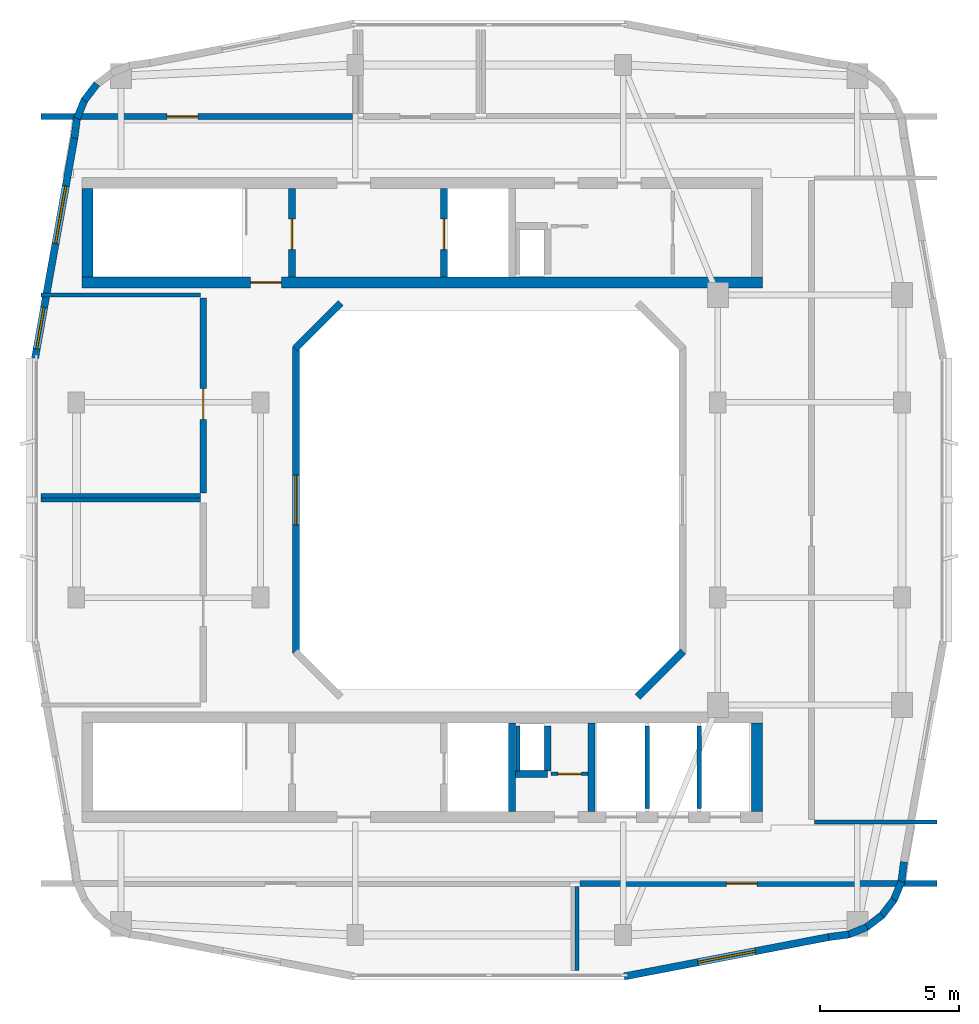
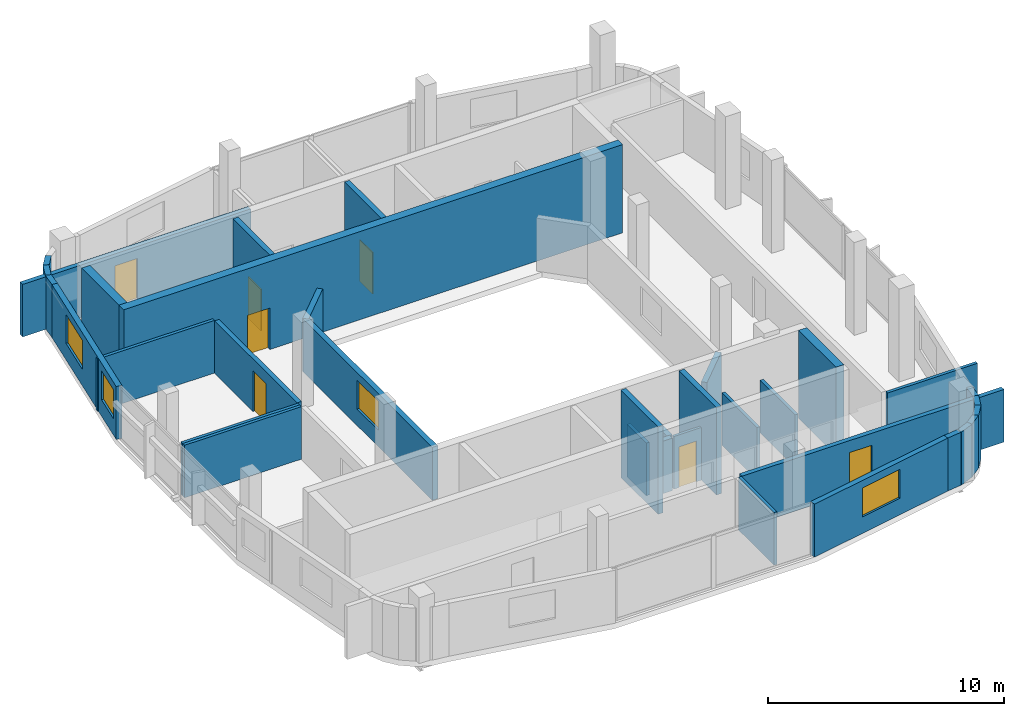
# One storey, part 4 of 6: 35 walls, 7 doors, 4 windows, 11 openings.
"""IFC4 building model written with IfcOpenShell, lengths in metres."""

import ifcopenshell
import ifcopenshell.guid

model = None  # the IFC model being written
_history = None  # IfcOwnerHistory: only IFC2X3 demands one
_inside = {}  # id of a spatial element -> (the spatial element, [elements in it])
_under = {}  # id of a project, library or spatial element -> (it, [spatial elements below it])
_declared = {}  # id of a project -> (the project, [libraries it declares])
_typed = {}  # id of a type object -> (the type object, [elements of that type])
_made_of = {}  # id of a material, layer set ... -> (it, [elements and type objects made of it])


def new_model(schema):
    """Start an empty IFC model of exactly this schema.

    Asked for "IFC4X3", IfcOpenShell would pick the latest addendum, in which some entities
    have other attributes; the version numbers below select the first issue.
    IFC2X3 requires an IfcOwnerHistory on every rooted entity: one is made here for all.
    """
    global model, _history
    if schema == "IFC4X3":
        model = ifcopenshell.file(schema_version=(4, 3, 0, 0))
    else:
        model = ifcopenshell.file(schema=schema)
    _inside.clear()
    _under.clear()
    _declared.clear()
    _typed.clear()
    _made_of.clear()
    _history = None
    if model.schema == "IFC2X3":
        org = make("IfcOrganization", Name="unknown")
        user = make(
            "IfcPersonAndOrganization",
            ThePerson=make("IfcPerson", FamilyName="unknown"),
            TheOrganization=org,
        )
        app = make(
            "IfcApplication",
            ApplicationDeveloper=org,
            Version="unknown",
            ApplicationFullName="unknown",
            ApplicationIdentifier="unknown",
        )
        _history = make(
            "IfcOwnerHistory",
            OwningUser=user,
            OwningApplication=app,
            ChangeAction="ADDED",
            CreationDate=0,
        )
    return model


def make(cls, **values):
    """One entity of the class cls with the attributes given. An attribute that is None is left unset."""
    return model.create_entity(
        cls, **{name: value for name, value in values.items() if value is not None}
    )


def rooted(cls, **values):
    """An entity with a GlobalId (a new one), such as an element, a storey or a relation."""
    return make(cls, GlobalId=ifcopenshell.guid.new(), OwnerHistory=_history, **values)


def si_unit(unit_type, name, prefix=None):
    """IfcSIUnit, for example si_unit("LENGTHUNIT", "METRE", prefix="MILLI")."""
    return make("IfcSIUnit", UnitType=unit_type, Prefix=prefix, Name=name)


def derived_unit(unit_type, elements):
    """IfcDerivedUnit: a product of units, each with its exponent."""
    return make(
        "IfcDerivedUnit",
        Elements=[
            make("IfcDerivedUnitElement", Unit=unit, Exponent=power)
            for unit, power in elements
        ],
        UnitType=unit_type,
    )


def assignment(units):
    """IfcUnitAssignment: the units of a project."""
    return None if units is None else make("IfcUnitAssignment", Units=units)


def point(xyz):
    """IfcCartesianPoint."""
    return None if xyz is None else make("IfcCartesianPoint", Coordinates=xyz)


def direction(xyz):
    """IfcDirection."""
    return None if xyz is None else make("IfcDirection", DirectionRatios=xyz)


def frame(location, z_axis=None, x_axis=None):
    """IfcAxis2Placement3D, a coordinate frame: its origin and axes. An axis left out is left unset."""
    return make(
        "IfcAxis2Placement3D",
        Location=point(location),
        Axis=direction(z_axis),
        RefDirection=direction(x_axis),
    )


def frame_2d(location, x_axis=None):
    """IfcAxis2Placement2D, a coordinate frame in the plane: its origin and x axis."""
    return make(
        "IfcAxis2Placement2D", Location=point(location), RefDirection=direction(x_axis)
    )


def origin():
    """The frame at (0, 0, 0) with its axes left unset."""
    return frame((0.0, 0.0, 0.0))


def place(relative_to, where):
    """IfcLocalPlacement: puts the frame where relative to a parent placement (None: the world)."""
    return make(
        "IfcLocalPlacement", PlacementRelTo=relative_to, RelativePlacement=where
    )


def context(
    kind, dimensions, precision=None, world=None, true_north=None, identifier=None
):
    """IfcGeometricRepresentationContext, for example the 3D "Model" context."""
    return make(
        "IfcGeometricRepresentationContext",
        ContextIdentifier=identifier,
        ContextType=kind,
        CoordinateSpaceDimension=dimensions,
        Precision=precision,
        WorldCoordinateSystem=world,
        TrueNorth=true_north,
    )


def subcontext(parent, identifier, kind, view, scale=None):
    """IfcGeometricRepresentationSubContext, for example "Body" below "Model"."""
    return make(
        "IfcGeometricRepresentationSubContext",
        ContextIdentifier=identifier,
        ContextType=kind,
        ParentContext=parent,
        TargetScale=scale,
        TargetView=view,
    )


def project(units=None, contexts=None):
    """IfcProject with its units and contexts."""
    return rooted(
        "IfcProject",
        Name="project",
        RepresentationContexts=contexts,
        UnitsInContext=assignment(units),
    )


def spatial(cls, under=None, at=None, **own):
    """A site, building, storey or space (cls), placed at a placement, below another one or the project."""
    s = rooted(cls, ObjectPlacement=at, **own)
    if under is not None:
        _under.setdefault(under.id(), (under, []))[1].append(s)
    return s


def profile(cls, at=None, kind="AREA", **sizes):
    """A parametric profile (cls). Its sizes go by their IFC names, for example OverallWidth=200.0."""
    return make(cls, ProfileType=kind, Position=at, **sizes)


def rectangle(**sizes):
    """IfcRectangleProfileDef."""
    return profile("IfcRectangleProfileDef", **sizes)


def extrude(swept, where, along, depth):
    """IfcExtrudedAreaSolid: the profile swept, set in the frame where, extruded along a direction by depth."""
    return make(
        "IfcExtrudedAreaSolid",
        SweptArea=swept,
        Position=where,
        ExtrudedDirection=direction(along),
        Depth=depth,
    )


def shape(context_of_items, identifier, shape_type, items):
    """IfcShapeRepresentation: the items that make up one representation, for example the "Body"."""
    return make(
        "IfcShapeRepresentation",
        ContextOfItems=context_of_items,
        RepresentationIdentifier=identifier,
        RepresentationType=shape_type,
        Items=items,
    )


def material(Name=None, Category=None):
    """IfcMaterial."""
    return make("IfcMaterial", Name=Name, Category=Category)


def layer(
    of_material, thickness, ventilated=None, Name=None, Category=None, Priority=None
):
    """IfcMaterialLayer: one layer of a wall or slab, of a material (None: an air gap)."""
    return make(
        "IfcMaterialLayer",
        Material=of_material,
        LayerThickness=thickness,
        IsVentilated=ventilated,
        Name=Name,
        Category=Category,
        Priority=Priority,
    )


def layer_set(layers, Name=None):
    """IfcMaterialLayerSet."""
    return make("IfcMaterialLayerSet", MaterialLayers=layers, LayerSetName=Name)


def made_of(thing, what):
    """Note that an element or type object is made of a material, layer set ...; save() writes the relation."""
    if what is not None:
        _made_of.setdefault(what.id(), (what, []))[1].append(thing)
    return thing


def type_object(cls, material=None, **own):
    """A type object (cls), such as IfcWallType, which elements share."""
    return made_of(rooted(cls, **own), material)


def element(
    cls,
    number,
    at=None,
    inside=None,
    cuts=None,
    type_object=None,
    material=None,
    context=None,
    identifier="Body",
    shape_type=None,
    held_by="IfcProductDefinitionShape",
    body=None,
    shapes=None,
    **own,
):
    """One element of the class cls, such as IfcWall. Its Tag is "e" and its number.

    at: its placement. inside: the storey or other place that contains it. cuts: it is an
    opening in that element (IfcRelVoidsElement). A single representation is given by context,
    identifier, shape_type and body (its items); several are given by shapes. held_by: the class
    of the entity that holds the representations. save() writes the other relations.
    """
    e = rooted(cls, Tag="e%d" % number, ObjectPlacement=at, **own)
    if body is not None:
        shapes = [shape(context, identifier, shape_type, body)]
    if shapes is not None:
        e.Representation = make(held_by, Representations=shapes)
    if inside is not None:
        _inside.setdefault(inside.id(), (inside, []))[1].append(e)
    if cuts is not None:
        rooted(
            "IfcRelVoidsElement", RelatingBuildingElement=cuts, RelatedOpeningElement=e
        )
    if type_object is not None:
        _typed.setdefault(type_object.id(), (type_object, []))[1].append(e)
    return made_of(e, material)


def fill(opening, filler):
    """IfcRelFillsElement: the door or window that sits in an opening."""
    return rooted(
        "IfcRelFillsElement",
        RelatingOpeningElement=opening,
        RelatedBuildingElement=filler,
    )


def aggregate(whole, parts):
    """IfcRelAggregates: a whole, such as a stair, and the parts it consists of."""
    return rooted("IfcRelAggregates", RelatingObject=whole, RelatedObjects=parts)


def save(model, path):
    """Write the relations noted so far, then the file.

    IfcRelAggregates (storeys below a building ...), IfcRelContainedInSpatialStructure (elements
    in a storey), IfcRelDefinesByType, IfcRelAssociatesMaterial and IfcRelDeclares: one each for
    every whole, place, type object, material and project.
    """
    for whole, parts in _under.values():
        aggregate(whole, parts)
    for where, things in _inside.values():
        rooted(
            "IfcRelContainedInSpatialStructure",
            RelatedElements=things,
            RelatingStructure=where,
        )
    for kind, things in _typed.values():
        rooted("IfcRelDefinesByType", RelatedObjects=things, RelatingType=kind)
    for what, things in _made_of.values():
        rooted("IfcRelAssociatesMaterial", RelatedObjects=things, RelatingMaterial=what)
    for by, libraries in _declared.values():
        rooted("IfcRelDeclares", RelatingContext=by, RelatedDefinitions=libraries)
    model.write(path)


model = new_model("IFC4")

# Units and contexts
model_context = context("Model", 3, precision=1e-05, world=origin(), true_north=direction((0.0, 1.0)))
body_context = subcontext(model_context, "Body", "Model", "MODEL_VIEW")
ifc_project = project(units=[si_unit("LENGTHUNIT", "METRE"), si_unit("AREAUNIT", "SQUARE_METRE"), si_unit("VOLUMEUNIT", "CUBIC_METRE"), si_unit("PLANEANGLEUNIT", "RADIAN"), si_unit("MASSUNIT", "GRAM", prefix="KILO"), derived_unit("THERMALTRANSMITTANCEUNIT", [(si_unit("POWERUNIT", "WATT"), 1), (si_unit("LENGTHUNIT", "METRE"), -2), (si_unit("THERMODYNAMICTEMPERATUREUNIT", "KELVIN"), -1)])], contexts=[model_context])

# Site, building, storey
site_placement = place(None, origin())
site = spatial("IfcSite", under=ifc_project, at=site_placement, CompositionType="ELEMENT")
building_placement = place(site_placement, origin())
building = spatial("IfcBuilding", under=site, at=building_placement, Name="Kivonza Crest Hotel", CompositionType="ELEMENT")
storey_placement = place(building_placement, frame((0.0, 0.0, 272.0)))
storey = spatial("IfcBuildingStorey", under=building, at=storey_placement, Name="L74", CompositionType="ELEMENT", Elevation=272.0)

# Wall, opening, door
ifc_material_1 = material(Name="Autoclaved aerated concrete blockwork", Category="masonry")
ifc_layer_1 = layer(ifc_material_1, 0.219970703125)
ifc_layer_set_1 = layer_set([ifc_layer_1], Name="Autoclaved aerated concrete blockwork")
wall_type_1 = type_object("IfcWallType", Name="WL-ACOU-220", PredefinedType="SOLIDWALL", material=ifc_layer_set_1)
wall_1_placement = place(storey_placement, frame((10.75, 25.25, 0.0), z_axis=(0.0, 0.0, 1.0), x_axis=(0.0, 1.0, 0.0)))
wall_1 = element("IfcWall", 1, at=wall_1_placement, inside=storey, type_object=wall_type_1, Name="L74 interior partition WA-L74-CRPLANT-E", PredefinedType="SOLIDWALL", context=body_context, shape_type="SweptSolid", body=[
    extrude(rectangle(XDim=7.0, YDim=0.219970703125, at=frame_2d((3.5, 0.0))), origin(), (0.0, 0.0, 1.0), 2.719970703125),
])
opening_1_placement = place(wall_1_placement, frame((2.64501953125, 0.0, 0.0)))
opening_1 = element("IfcOpeningElement", 2, at=opening_1_placement, cuts=wall_1, Name="Opening DF-60M", PredefinedType="OPENING", context=body_context, shape_type="SweptSolid", body=[
    extrude(rectangle(XDim=1.10009765625, YDim=2.10009765625, at=frame_2d((0.550048828125, 1.050048828125))), frame((0.0, 0.1201171875, 0.0), z_axis=(0.0, -1.0, 0.0), x_axis=(1.0, 0.0, 0.0)), (0.0, 0.0, 1.0), 0.239990234375),
])
ifc_material_2 = material(Name="Hardwood timber oak", Category="wood")
door_type_1 = type_object("IfcDoorType", Name="DR-FD60-1100", OperationType="NOTDEFINED", PredefinedType="DOOR", material=ifc_material_2)
door_1_placement = place(opening_1_placement, origin())
door_1 = element("IfcDoor", 3, at=door_1_placement, inside=storey, type_object=door_type_1, Name="L74 Crown Sommelier Wine Cellar door", OperationType="SINGLE_SWING_LEFT", OverallHeight=2.10009765625, OverallWidth=1.10009765625, PredefinedType="DOOR", context=body_context, shape_type="SweptSolid", body=[
    extrude(rectangle(XDim=1.10009765625, YDim=2.10009765625, at=frame_2d((0.550048828125, 1.050048828125))), frame((0.0, 0.02490234375, 0.0), z_axis=(0.0, -1.0, 0.0), x_axis=(1.0, 0.0, 0.0)), (0.0, 0.0, 1.0), 0.050048828125),
])
fill(opening_1, door_1)

wall_2_placement = place(storey_placement, frame((24.25, 11.25, 0.0), z_axis=(0.0, 0.0, 1.0), x_axis=(1.0, 0.0, 0.0)))
wall_2 = element("IfcWall", 4, at=wall_2_placement, inside=storey, type_object=wall_type_1, Name="L74 interior partition WA-L74-CRPAN4-N", PredefinedType="SOLIDWALL", context=body_context, shape_type="SweptSolid", body=[
    extrude(rectangle(XDim=12.81005859375, YDim=0.219970703125, at=frame_2d((6.405029296875, 0.0))), origin(), (0.0, 0.0, 1.0), 2.719970703125),
])
opening_2_placement = place(wall_2_placement, frame((5.259033203125, 0.0, 0.0)))
opening_2 = element("IfcOpeningElement", 5, at=opening_2_placement, cuts=wall_2, Name="Opening DF-60M", PredefinedType="OPENING", context=body_context, shape_type="SweptSolid", body=[
    extrude(rectangle(XDim=1.10009765625, YDim=2.10009765625, at=frame_2d((0.550048828125, 1.050048828125))), frame((0.0, 0.1201171875, 0.0), z_axis=(0.0, -1.0, 0.0), x_axis=(1.0, 0.0, 0.0)), (0.0, 0.0, 1.0), 0.239990234375),
])
door_2_placement = place(opening_2_placement, frame((1.10009765625, 0.0, 0.0), z_axis=(0.0, 0.0, 1.0), x_axis=(-1.0, 0.0, 0.0)))
door_2 = element("IfcDoor", 6, at=door_2_placement, inside=storey, type_object=door_type_1, Name="L74 Crest Catering Kitchen door", OperationType="SINGLE_SWING_LEFT", OverallHeight=2.10009765625, OverallWidth=1.10009765625, PredefinedType="DOOR", context=body_context, shape_type="SweptSolid", body=[
    extrude(rectangle(XDim=1.10009765625, YDim=2.10009765625, at=frame_2d((0.550048828125, 1.050048828125))), frame((0.0, 0.02490234375, 0.0), z_axis=(0.0, -1.0, 0.0), x_axis=(1.0, 0.0, 0.0)), (0.0, 0.0, 1.0), 0.050048828125),
])
fill(opening_2, door_2)

wall_3_placement = place(storey_placement, frame((4.93994140625, 38.75, 0.0), z_axis=(0.0, 0.0, 1.0), x_axis=(1.0, 0.0, 0.0)))
wall_3 = element("IfcWall", 7, at=wall_3_placement, inside=storey, type_object=wall_type_1, Name="L74 interior partition WA-L74-CRNSAL-S", PredefinedType="SOLIDWALL", context=body_context, shape_type="SweptSolid", body=[
    extrude(rectangle(XDim=11.16015625, YDim=0.219970703125, at=frame_2d((5.580078125, 0.0))), origin(), (0.0, 0.0, 1.0), 2.719970703125),
])
opening_3_placement = place(wall_3_placement, frame((4.51708984375, 0.0, 0.0)))
opening_3 = element("IfcOpeningElement", 8, at=opening_3_placement, cuts=wall_3, Name="Opening DF-60M", PredefinedType="OPENING", context=body_context, shape_type="SweptSolid", body=[
    extrude(rectangle(XDim=1.10009765625, YDim=2.10009765625, at=frame_2d((0.550048828125, 1.050048828125))), frame((0.0, 0.1201171875, 0.0), z_axis=(0.0, -1.0, 0.0), x_axis=(1.0, 0.0, 0.0)), (0.0, 0.0, 1.0), 0.239990234375),
])
door_3_placement = place(opening_3_placement, origin())
door_3 = element("IfcDoor", 9, at=door_3_placement, inside=storey, type_object=door_type_1, Name="L74 North Crest Diplomat Salon door", OperationType="SINGLE_SWING_RIGHT", OverallHeight=2.10009765625, OverallWidth=1.10009765625, PredefinedType="DOOR", context=body_context, shape_type="SweptSolid", body=[
    extrude(rectangle(XDim=1.10009765625, YDim=2.10009765625, at=frame_2d((0.550048828125, 1.050048828125))), frame((0.0, 0.02490234375, 0.0), z_axis=(0.0, -1.0, 0.0), x_axis=(1.0, 0.0, 0.0)), (0.0, 0.0, 1.0), 0.050048828125),
])
fill(opening_3, door_3)

ifc_material_3 = material(Name="Concrete C50/60", Category="concrete")
ifc_layer_2 = layer(ifc_material_3, 0.39990234375)
ifc_layer_set_2 = layer_set([ifc_layer_2], Name="Concrete C50/60")
wall_type_2 = type_object("IfcWallType", Name="WL-CORE-400", PredefinedType="SHEAR", material=ifc_layer_set_2)
wall_4_placement = place(storey_placement, frame((6.39990234375, 32.800048828125, 0.0), z_axis=(0.0, 0.0, 1.0), x_axis=(1.0, 0.0, 0.0)))
wall_4 = element("IfcWall", 10, at=wall_4_placement, inside=storey, type_object=wall_type_2, Name="Core wall T1-N South L74", PredefinedType="SHEAR", context=body_context, shape_type="SweptSolid", body=[
    extrude(rectangle(XDim=24.400146484375, YDim=0.39990234375, at=frame_2d((12.2001953125, 0.0))), origin(), (0.0, 0.0, 1.0), 4.56005859375),
])
opening_4_placement = place(wall_4_placement, frame((6.050048828125, 0.0, 0.0)))
opening_4 = element("IfcOpeningElement", 11, at=opening_4_placement, cuts=wall_4, Name="Opening DF-120", PredefinedType="OPENING", context=body_context, shape_type="SweptSolid", body=[
    extrude(rectangle(XDim=1.10009765625, YDim=2.14990234375, at=frame_2d((0.550048828125, 1.074951171875))), frame((0.0, 0.2099609375, 0.0), z_axis=(0.0, -1.0, 0.0), x_axis=(1.0, 0.0, 0.0)), (0.0, 0.0, 1.0), 0.419921875),
])
ifc_material_4 = material(Name="Galvanised steel", Category="steel")
door_type_2 = type_object("IfcDoorType", Name="DR-FD120-1100", OperationType="NOTDEFINED", PredefinedType="DOOR", material=ifc_material_4)
door_4_placement = place(opening_4_placement, origin())
door_4 = element("IfcDoor", 12, at=door_4_placement, inside=storey, type_object=door_type_2, Name="L74 Crown west corridor stair fire door", OperationType="SINGLE_SWING_LEFT", OverallHeight=2.14990234375, OverallWidth=1.10009765625, PredefinedType="DOOR", context=body_context, shape_type="SweptSolid", body=[
    extrude(rectangle(XDim=1.10009765625, YDim=2.14990234375, at=frame_2d((0.550048828125, 1.074951171875))), frame((0.0, 0.02490234375, 0.0), z_axis=(0.0, -1.0, 0.0), x_axis=(1.0, 0.0, 0.0)), (0.0, 0.0, 1.0), 0.050048828125),
])
fill(opening_4, door_4)

# Walls
for number, where, z_axis, x_axis, name in (
    (13, (6.60009765625, 33.0, 0.0), (0.0, 0.0, 1.0), (0.0, 1.0, 0.0), "Core wall T1-N West L74"),
    (14, (30.60009765625, 13.840087890625, 0.0), (0.0, 0.0, 1.0), (0.0, 1.0, 0.0), "Core wall T1-S East L74"),
):
    element("IfcWall", number, at=place(storey_placement, frame(where, z_axis=z_axis, x_axis=x_axis)), inside=storey, type_object=wall_type_2, Name=name, PredefinedType="SHEAR", context=body_context, shape_type="SweptSolid", body=[
        extrude(rectangle(XDim=3.159912109375, YDim=0.39990234375, at=frame_2d((1.580078125, 0.0))), origin(), (0.0, 0.0, 1.0), 4.56005859375),
    ])

# Wall, opening, window
ifc_material_5 = material(Name="Precast concrete C40/50", Category="concrete")
ifc_layer_3 = layer(ifc_material_5, 0.260009765625)
ifc_layer_set_3 = layer_set([ifc_layer_3], Name="Precast concrete C40/50")
wall_type_3 = type_object("IfcWallType", Name="WL-EXT-260", PredefinedType="STANDARD", material=ifc_layer_set_3)
wall_5_placement = place(storey_placement, frame((25.841064453125, 7.91796875, 0.0), z_axis=(0.0, 0.0, 1.0), x_axis=(0.982002021426, 0.188870405079, 0.0)))
wall_5 = element("IfcWall", 15, at=wall_5_placement, inside=storey, type_object=wall_type_3, Name="L74 T1 exterior insulated wall 9", PredefinedType="STANDARD", context=body_context, shape_type="SweptSolid", body=[
    extrude(rectangle(XDim=7.4765625, YDim=0.260009765625, at=frame_2d((3.73828125, 0.0))), origin(), (0.0, 0.0, 1.0), 2.739990234375),
])
opening_5_placement = place(wall_5_placement, frame((2.68798828125, 0.0, 0.85009765625)))
opening_5 = element("IfcOpeningElement", 16, at=opening_5_placement, cuts=wall_5, Name="Opening WN-04", PredefinedType="OPENING", context=body_context, shape_type="SweptSolid", body=[
    extrude(rectangle(XDim=2.10009765625, YDim=1.5, at=frame_2d((1.050048828125, 0.75))), frame((0.0, 0.14013671875, 0.0), z_axis=(0.0, -1.0, 0.0), x_axis=(1.0, 0.0, 0.0)), (0.0, 0.0, 1.0), 0.280029296875),
])
ifc_material_6 = material(Name="Thermally broken bronze aluminium and low-E double glazing", Category="aluminium")
window_type_1 = type_object("IfcWindowType", Name="WN-210x150", PartitioningType="DOUBLE_PANEL_VERTICAL", PredefinedType="WINDOW", material=ifc_material_6)
window_1_placement = place(opening_5_placement, origin())
window_1 = element("IfcWindow", 17, at=window_1_placement, inside=storey, type_object=window_type_1, Name="L74 T1 facade window 9", OverallHeight=1.5, OverallWidth=2.10009765625, PartitioningType="SINGLE_PANEL", PredefinedType="WINDOW", context=body_context, shape_type="SweptSolid", body=[
    extrude(rectangle(XDim=2.10009765625, YDim=1.5, at=frame_2d((1.050048828125, 0.75))), frame((0.0, 0.030029296875, 0.0), z_axis=(0.0, -1.0, 0.0), x_axis=(1.0, 0.0, 0.0)), (0.0, 0.0, 1.0), 0.06005859375),
])
fill(opening_5, window_1)

# Walls
wall_6_placement = place(storey_placement, frame((33.175048828125, 9.327880859375, 0.0), z_axis=(0.0, 0.0, 1.0), x_axis=(0.991437192142, 0.130584432602, 0.0)))
element("IfcWall", 18, at=wall_6_placement, inside=storey, type_object=wall_type_3, Name="L74 T1 exterior insulated wall 10", PredefinedType="STANDARD", context=body_context, shape_type="SweptSolid", body=[
    extrude(rectangle(XDim=0.729248046875, YDim=0.260009765625, at=frame_2d((0.36474609375, 0.0))), origin(), (0.0, 0.0, 1.0), 2.739990234375),
])
wall_7_placement = place(storey_placement, frame((33.85205078125, 9.405029296875, 0.0), z_axis=(0.0, 0.0, 1.0), x_axis=(0.923637576129, 0.383267045233, 0.0)))
element("IfcWall", 19, at=wall_7_placement, inside=storey, type_object=wall_type_3, Name="L74 T1 exterior insulated wall 11", PredefinedType="STANDARD", context=body_context, shape_type="SweptSolid", body=[
    extrude(rectangle(XDim=0.745849609375, YDim=0.260009765625, at=frame_2d((0.373046875, 0.0))), origin(), (0.0, 0.0, 1.0), 2.739990234375),
])
wall_8_placement = place(storey_placement, frame((34.5009765625, 9.6630859375, 0.0), z_axis=(0.0, 0.0, 1.0), x_axis=(0.79363269798, 0.608397189915, 0.0)))
element("IfcWall", 20, at=wall_8_placement, inside=storey, type_object=wall_type_3, Name="L74 T1 exterior insulated wall 12", PredefinedType="STANDARD", context=body_context, shape_type="SweptSolid", body=[
    extrude(rectangle(XDim=0.74609375, YDim=0.260009765625, at=frame_2d((0.373046875, 0.0))), origin(), (0.0, 0.0, 1.0), 2.739990234375),
])
for number, where, z_axis, x_axis, name in (
    (21, (35.06201171875, 10.0791015625, 0.0), (0.0, 0.0, 1.0), (0.608761301523, 0.793353438114, 0.0), "L74 T1 exterior insulated wall 13"),
    (22, (35.4951171875, 10.626953125, 0.0), (0.0, 0.0, 1.0), (0.383267045233, 0.923637576129, 0.0), "L74 T1 exterior insulated wall 14"),
):
    element("IfcWall", number, at=place(storey_placement, frame(where, z_axis=z_axis, x_axis=x_axis)), inside=storey, type_object=wall_type_3, Name=name, PredefinedType="STANDARD", context=body_context, shape_type="SweptSolid", body=[
        extrude(rectangle(XDim=0.745849609375, YDim=0.260009765625, at=frame_2d((0.373046875, 0.0))), origin(), (0.0, 0.0, 1.0), 2.739990234375),
    ])
wall_9_placement = place(storey_placement, frame((35.77294921875, 11.26708984375, 0.0), z_axis=(0.0, 0.0, 1.0), x_axis=(0.12969424545, 0.991554034179, 0.0)))
element("IfcWall", 23, at=wall_9_placement, inside=storey, type_object=wall_type_3, Name="L74 T1 exterior insulated wall 15", PredefinedType="STANDARD", context=body_context, shape_type="SweptSolid", body=[
    extrude(rectangle(XDim=0.76416015625, YDim=0.260009765625, at=frame_2d((0.382080078125, 0.0))), origin(), (0.0, 0.0, 1.0), 2.739990234375),
])
for number, where, z_axis, x_axis, name in (
    (24, (6.93798828125, 39.9208984375, 0.0), (0.0, 0.0, 1.0), (-0.608761301523, -0.793353438114, 0.0), "L74 T1 exterior insulated wall 31"),
    (25, (6.5048828125, 39.373046875, 0.0), (0.0, 0.0, 1.0), (-0.383267045233, -0.923637576129, 0.0), "L74 T1 exterior insulated wall 32"),
):
    element("IfcWall", number, at=place(storey_placement, frame(where, z_axis=z_axis, x_axis=x_axis)), inside=storey, type_object=wall_type_3, Name=name, PredefinedType="STANDARD", context=body_context, shape_type="SweptSolid", body=[
        extrude(rectangle(XDim=0.745849609375, YDim=0.260009765625, at=frame_2d((0.373046875, 0.0))), origin(), (0.0, 0.0, 1.0), 2.739990234375),
    ])
wall_10_placement = place(storey_placement, frame((6.22705078125, 38.73291015625, 0.0), z_axis=(0.0, 0.0, 1.0), x_axis=(-0.12969424545, -0.991554034179, 0.0)))
element("IfcWall", 26, at=wall_10_placement, inside=storey, type_object=wall_type_3, Name="L74 T1 exterior insulated wall 33", PredefinedType="STANDARD", context=body_context, shape_type="SweptSolid", body=[
    extrude(rectangle(XDim=0.76416015625, YDim=0.260009765625, at=frame_2d((0.382080078125, 0.0))), origin(), (0.0, 0.0, 1.0), 2.739990234375),
])

# Wall, openings, windows
wall_11_placement = place(storey_placement, frame((6.12890625, 37.985107421875, 0.0), z_axis=(0.0, 0.0, 1.0), x_axis=(-0.175766426993, -0.984431898682, 0.0)))
wall_11 = element("IfcWall", 27, at=wall_11_placement, inside=storey, type_object=wall_type_3, Name="L74 T1 exterior insulated wall 34", PredefinedType="STANDARD", context=body_context, shape_type="SweptSolid", body=[
    extrude(rectangle(XDim=8.027099609375, YDim=0.260009765625, at=frame_2d((4.013671875, 0.0))), origin(), (0.0, 0.0, 1.0), 2.739990234375),
])
opening_6_placement = place(wall_11_placement, frame((1.7529296875, 0.0, 0.85009765625)))
opening_6 = element("IfcOpeningElement", 28, at=opening_6_placement, cuts=wall_11, Name="Opening WN-04", PredefinedType="OPENING", context=body_context, shape_type="SweptSolid", body=[
    extrude(rectangle(XDim=2.10009765625, YDim=1.5, at=frame_2d((1.050048828125, 0.75))), frame((0.0, 0.14013671875, 0.0), z_axis=(0.0, -1.0, 0.0), x_axis=(1.0, 0.0, 0.0)), (0.0, 0.0, 1.0), 0.280029296875),
])
opening_7_placement = place(wall_11_placement, frame((6.179931640625, 0.0, 0.85009765625)))
opening_7 = element("IfcOpeningElement", 29, at=opening_7_placement, cuts=wall_11, Name="Opening WN-02", PredefinedType="OPENING", context=body_context, shape_type="SweptSolid", body=[
    extrude(rectangle(XDim=1.5, YDim=1.5, at=frame_2d((0.75, 0.75))), frame((0.0, 0.14013671875, 0.0), z_axis=(0.0, -1.0, 0.0), x_axis=(1.0, 0.0, 0.0)), (0.0, 0.0, 1.0), 0.280029296875),
])
window_type_2 = type_object("IfcWindowType", Name="WN-150x150", PartitioningType="DOUBLE_PANEL_VERTICAL", PredefinedType="WINDOW", material=ifc_material_6)
window_2_placement = place(opening_7_placement, origin())
window_2 = element("IfcWindow", 30, at=window_2_placement, inside=storey, type_object=window_type_2, Name="L74 T1 facade window 34 bay 2", OverallHeight=1.5, OverallWidth=1.5, PartitioningType="SINGLE_PANEL", PredefinedType="WINDOW", context=body_context, shape_type="SweptSolid", body=[
    extrude(rectangle(XDim=1.5, YDim=1.5, at=frame_2d((0.75, 0.75))), frame((0.0, 0.030029296875, 0.0), z_axis=(0.0, -1.0, 0.0), x_axis=(1.0, 0.0, 0.0)), (0.0, 0.0, 1.0), 0.06005859375),
])
fill(opening_7, window_2)
window_3_placement = place(opening_6_placement, origin())
window_3 = element("IfcWindow", 31, at=window_3_placement, inside=storey, type_object=window_type_1, Name="L74 T1 facade window 34 bay 1", OverallHeight=1.5, OverallWidth=2.10009765625, PartitioningType="SINGLE_PANEL", PredefinedType="WINDOW", context=body_context, shape_type="SweptSolid", body=[
    extrude(rectangle(XDim=2.10009765625, YDim=1.5, at=frame_2d((1.050048828125, 0.75))), frame((0.0, 0.030029296875, 0.0), z_axis=(0.0, -1.0, 0.0), x_axis=(1.0, 0.0, 0.0)), (0.0, 0.0, 1.0), 0.06005859375),
])
fill(opening_6, window_3)

# Walls
for number, where, z_axis, x_axis, name in (
    (32, (26.322021484375, 17.93798828125, 0.0), (0.0, 0.0, 1.0), (0.707106781187, 0.707106781187, 0.0), "L74 T1 light-well exterior wall 2"),
    (33, (15.677978515625, 32.06201171875, 0.0), (0.0, 0.0, 1.0), (-0.707106781187, -0.707106781187, 0.0), "L74 T1 light-well exterior wall 6"),
):
    element("IfcWall", number, at=place(storey_placement, frame(where, z_axis=z_axis, x_axis=x_axis)), inside=storey, type_object=wall_type_3, Name=name, PredefinedType="STANDARD", context=body_context, shape_type="SweptSolid", body=[
        extrude(rectangle(XDim=2.310791015625, YDim=0.260009765625, at=frame_2d((1.1552734375, 0.0))), origin(), (0.0, 0.0, 1.0), 2.739990234375),
    ])

# Wall, opening, window
wall_12_placement = place(storey_placement, frame((14.070068359375, 30.489990234375, 0.0), z_axis=(0.0, 0.0, 1.0), x_axis=(0.0, -1.0, 0.0)))
wall_12 = element("IfcWall", 34, at=wall_12_placement, inside=storey, type_object=wall_type_3, Name="L74 T1 light-well exterior wall 7", PredefinedType="STANDARD", context=body_context, shape_type="SweptSolid", body=[
    extrude(rectangle(XDim=10.97998046875, YDim=0.260009765625, at=frame_2d((5.489990234375, 0.0))), origin(), (0.0, 0.0, 1.0), 2.739990234375),
])
opening_8_placement = place(wall_12_placement, frame((4.590087890625, 0.0, 0.85009765625)))
opening_8 = element("IfcOpeningElement", 35, at=opening_8_placement, cuts=wall_12, Name="Opening WN-03", PredefinedType="OPENING", context=body_context, shape_type="SweptSolid", body=[
    extrude(rectangle(XDim=1.800048828125, YDim=1.5, at=frame_2d((0.89990234375, 0.75))), frame((0.0, 0.14013671875, 0.0), z_axis=(0.0, -1.0, 0.0), x_axis=(1.0, 0.0, 0.0)), (0.0, 0.0, 1.0), 0.280029296875),
])
window_type_3 = type_object("IfcWindowType", Name="WN-180x150", PartitioningType="DOUBLE_PANEL_VERTICAL", PredefinedType="WINDOW", material=ifc_material_6)
window_4_placement = place(opening_8_placement, origin())
window_4 = element("IfcWindow", 36, at=window_4_placement, inside=storey, type_object=window_type_3, Name="L74 T1 light-well window 7", OverallHeight=1.5, OverallWidth=1.800048828125, PartitioningType="SINGLE_PANEL", PredefinedType="WINDOW", context=body_context, shape_type="SweptSolid", body=[
    extrude(rectangle(XDim=1.800048828125, YDim=1.5, at=frame_2d((0.89990234375, 0.75))), frame((0.0, 0.030029296875, 0.0), z_axis=(0.0, -1.0, 0.0), x_axis=(1.0, 0.0, 0.0)), (0.0, 0.0, 1.0), 0.06005859375),
])
fill(opening_8, window_4)

# Walls
ifc_material_7 = material(Name="Concrete blockwork fire-compartment wall", Category="masonry")
ifc_layer_4 = layer(ifc_material_7, 0.25)
ifc_layer_set_4 = layer_set([ifc_layer_4], Name="Concrete blockwork fire-compartment wall")
wall_type_4 = type_object("IfcWallType", Name="WL-FIRE-250", PredefinedType="SOLIDWALL", material=ifc_layer_set_4)
wall_13_placement = place(storey_placement, frame((23.10009765625, 15.280029296875, 0.0), z_axis=(0.0, 0.0, 1.0), x_axis=(0.0, 1.0, 0.0)))
element("IfcWall", 37, at=wall_13_placement, inside=storey, type_object=wall_type_4, Name="L74 interior partition WA-L74-T1-S-MEPR-E", PredefinedType="SOLIDWALL", context=body_context, shape_type="SweptSolid", body=[
    extrude(rectangle(XDim=1.619873046875, YDim=0.25, at=frame_2d((0.81005859375, 0.0))), origin(), (0.0, 0.0, 1.0), 2.719970703125),
])
wall_14_placement = place(storey_placement, frame((21.949951171875, 15.179931640625, 0.0), z_axis=(0.0, 0.0, 1.0), x_axis=(1.0, 0.0, 0.0)))
element("IfcWall", 38, at=wall_14_placement, inside=storey, type_object=wall_type_4, Name="L74 interior partition WA-L74-T1-S-MEPR-H", PredefinedType="SOLIDWALL", context=body_context, shape_type="SweptSolid", body=[
    extrude(rectangle(XDim=1.150146484375, YDim=0.25, at=frame_2d((0.5751953125, 0.0))), origin(), (0.0, 0.0, 1.0), 2.719970703125),
])

# Wall, opening, door
ifc_material_8 = material(Name="Metal-stud gypsum board partition", Category="gypsum")
ifc_layer_5 = layer(ifc_material_8, 0.125)
ifc_layer_set_5 = layer_set([ifc_layer_5], Name="Metal-stud gypsum board partition")
wall_type_5 = type_object("IfcWallType", Name="WL-PART-125", PredefinedType="PARTITIONING", material=ifc_layer_set_5)
wall_15_placement = place(storey_placement, frame((23.219970703125, 15.179931640625, 0.0), z_axis=(0.0, 0.0, 1.0), x_axis=(1.0, 0.0, 0.0)))
wall_15 = element("IfcWall", 39, at=wall_15_placement, inside=storey, type_object=wall_type_5, Name="L74 interior partition WP-L74-T1-S-SV3H", PredefinedType="PARTITIONING", context=body_context, shape_type="SweptSolid", body=[
    extrude(rectangle(XDim=1.330078125, YDim=0.125, at=frame_2d((0.6650390625, 0.0))), origin(), (0.0, 0.0, 1.0), 2.719970703125),
])
opening_9_placement = place(wall_15_placement, frame((0.239990234375, 0.0, 0.0)))
opening_9 = element("IfcOpeningElement", 40, at=opening_9_placement, cuts=wall_15, Name="Opening DI-85", PredefinedType="OPENING", context=body_context, shape_type="SweptSolid", body=[
    extrude(rectangle(XDim=0.85009765625, YDim=2.10009765625, at=frame_2d((0.425048828125, 1.050048828125))), frame((0.0, 0.072509765625, 0.0), z_axis=(0.0, -1.0, 0.0), x_axis=(1.0, 0.0, 0.0)), (0.0, 0.0, 1.0), 0.14501953125),
])
door_type_3 = type_object("IfcDoorType", Name="DR-INT-850", OperationType="NOTDEFINED", PredefinedType="DOOR", material=ifc_material_2)
door_5_placement = place(opening_9_placement, origin())
door_5 = element("IfcDoor", 41, at=door_5_placement, inside=storey, type_object=door_type_3, Name="L74 T1-S inner manifold door", OperationType="SINGLE_SWING_LEFT", OverallHeight=2.10009765625, OverallWidth=0.85009765625, PredefinedType="DOOR", context=body_context, shape_type="SweptSolid", body=[
    extrude(rectangle(XDim=0.85009765625, YDim=2.10009765625, at=frame_2d((0.425048828125, 1.050048828125))), frame((0.0, 0.02490234375, 0.0), z_axis=(0.0, -1.0, 0.0), x_axis=(1.0, 0.0, 0.0)), (0.0, 0.0, 1.0), 0.050048828125),
])
fill(opening_9, door_5)

# Walls
ifc_material_9 = material(Name="Twin-stud acoustic gypsum board partition", Category="gypsum")
ifc_layer_6 = layer(ifc_material_9, 0.14990234375)
ifc_layer_set_6 = layer_set([ifc_layer_6], Name="Twin-stud acoustic gypsum board partition")
wall_type_6 = type_object("IfcWallType", Name="WL-PART-150", PredefinedType="PARTITIONING", material=ifc_layer_set_6)
wall_16_placement = place(storey_placement, frame((22.030029296875, 15.280029296875, 0.0), z_axis=(0.0, 0.0, 1.0), x_axis=(0.0, 1.0, 0.0)))
element("IfcWall", 42, at=wall_16_placement, inside=storey, type_object=wall_type_6, Name="L74 interior partition WA-L74-T1-S-MEPR-W", PredefinedType="PARTITIONING", context=body_context, shape_type="SweptSolid", body=[
    extrude(rectangle(XDim=1.619873046875, YDim=0.14990234375, at=frame_2d((0.81005859375, 0.0))), origin(), (0.0, 0.0, 1.0), 2.719970703125),
])
for number, where, z_axis, x_axis, name in (
    (43, (26.6669921875, 13.93994140625, 0.0), (0.0, 0.0, 1.0), (0.0, 1.0, 0.0), "L74 interior partition WP-L74-T1-S-BSH-1"),
    (44, (28.532958984375, 13.93994140625, 0.0), (0.0, 0.0, 1.0), (0.0, 1.0, 0.0), "L74 interior partition WP-L74-T1-S-BSH-2"),
):
    element("IfcWall", number, at=place(storey_placement, frame(where, z_axis=z_axis, x_axis=x_axis)), inside=storey, type_object=wall_type_6, Name=name, PredefinedType="PARTITIONING", context=body_context, shape_type="SweptSolid", body=[
        extrude(rectangle(XDim=2.9599609375, YDim=0.14990234375, at=frame_2d((1.47998046875, 0.0))), origin(), (0.0, 0.0, 1.0), 2.719970703125),
    ])
wall_17_placement = place(storey_placement, frame((32.659912109375, 13.449951171875, 0.0), z_axis=(0.0, 0.0, 1.0), x_axis=(1.0, 0.0, 0.0)))
element("IfcWall", 45, at=wall_17_placement, inside=storey, type_object=wall_type_6, Name="L74 interior partition WP-L74-CRESTLNG-BS", PredefinedType="PARTITIONING", context=body_context, shape_type="SweptSolid", body=[
    extrude(rectangle(XDim=4.400146484375, YDim=0.14990234375, at=frame_2d((2.2001953125, 0.0))), origin(), (0.0, 0.0, 1.0), 2.719970703125),
])
for number, where, z_axis, x_axis, name in (
    (46, (4.93994140625, 25.0, 0.0), (0.0, 0.0, 1.0), (1.0, 0.0, 0.0), "L74 interior partition WP-L74-CRESTBRD-BN"),
    (47, (4.93994140625, 25.14990234375, 0.0), (0.0, 0.0, 1.0), (1.0, 0.0, 0.0), "L74 interior partition WP-L74-CRPLANT-BS"),
    (48, (4.93994140625, 32.35009765625, 0.0), (0.0, 0.0, 1.0), (1.0, 0.0, 0.0), "L74 interior partition WP-L74-CRPLANT-BN"),
):
    element("IfcWall", number, at=place(storey_placement, frame(where, z_axis=z_axis, x_axis=x_axis)), inside=storey, type_object=wall_type_6, Name=name, PredefinedType="PARTITIONING", context=body_context, shape_type="SweptSolid", body=[
        extrude(rectangle(XDim=5.7099609375, YDim=0.14990234375, at=frame_2d((2.85498046875, 0.0))), origin(), (0.0, 0.0, 1.0), 2.719970703125),
    ])
wall_18_placement = place(storey_placement, frame((24.14990234375, 8.139892578125, 0.0), z_axis=(0.0, 0.0, 1.0), x_axis=(0.0, 1.0, 0.0)))
element("IfcWall", 49, at=wall_18_placement, inside=storey, type_object=wall_type_6, Name="L74 interior partition WP-L74-CRPAN4-BW", PredefinedType="PARTITIONING", context=body_context, shape_type="SweptSolid", body=[
    extrude(rectangle(XDim=3.010009765625, YDim=0.14990234375, at=frame_2d((1.5048828125, 0.0))), origin(), (0.0, 0.0, 1.0), 2.719970703125),
])

# Wall, opening, door
ifc_layer_7 = layer(ifc_material_3, 0.25)
ifc_layer_set_7 = layer_set([ifc_layer_7], Name="Concrete C50/60")
wall_type_7 = type_object("IfcWallType", Name="WL-SHAFT-250", PredefinedType="STANDARD", material=ifc_layer_set_7)
wall_19_placement = place(storey_placement, frame((13.925048828125, 33.0, 0.0), z_axis=(0.0, 0.0, 1.0), x_axis=(0.0, 1.0, 0.0)))
wall_19 = element("IfcWall", 50, at=wall_19_placement, inside=storey, type_object=wall_type_7, Name="Core shaft wall T1-N STAIR L74", PredefinedType="STANDARD", context=body_context, shape_type="SweptSolid", body=[
    extrude(rectangle(XDim=3.159912109375, YDim=0.25, at=frame_2d((1.580078125, 0.0))), origin(), (0.0, 0.0, 1.0), 4.52001953125),
])
opening_10_placement = place(wall_19_placement, frame((0.97998046875, 0.0, 0.0)))
opening_10 = element("IfcOpeningElement", 51, at=opening_10_placement, cuts=wall_19, Name="Opening DF-120", PredefinedType="OPENING", context=body_context, shape_type="SweptSolid", body=[
    extrude(rectangle(XDim=1.10009765625, YDim=2.14990234375, at=frame_2d((0.550048828125, 1.074951171875))), frame((0.0, 0.135009765625, 0.0), z_axis=(0.0, -1.0, 0.0), x_axis=(1.0, 0.0, 0.0)), (0.0, 0.0, 1.0), 0.27001953125),
])
door_6_placement = place(opening_10_placement, frame((1.10009765625, 0.0, 0.0), z_axis=(0.0, 0.0, 1.0), x_axis=(-1.0, 0.0, 0.0)))
door_6 = element("IfcDoor", 52, at=door_6_placement, inside=storey, type_object=door_type_2, Name="L74 T1-N stair fire door", OperationType="SINGLE_SWING_LEFT", OverallHeight=2.14990234375, OverallWidth=1.10009765625, PredefinedType="DOOR", context=body_context, shape_type="SweptSolid", body=[
    extrude(rectangle(XDim=1.10009765625, YDim=2.14990234375, at=frame_2d((0.550048828125, 1.074951171875))), frame((0.0, 0.02490234375, 0.0), z_axis=(0.0, -1.0, 0.0), x_axis=(1.0, 0.0, 0.0)), (0.0, 0.0, 1.0), 0.050048828125),
])
fill(opening_10, door_6)

wall_20_placement = place(storey_placement, frame((19.375, 33.0, 0.0), z_axis=(0.0, 0.0, 1.0), x_axis=(0.0, 1.0, 0.0)))
wall_20 = element("IfcWall", 53, at=wall_20_placement, inside=storey, type_object=wall_type_7, Name="Core shaft wall T1-N FFL-W L74", PredefinedType="STANDARD", context=body_context, shape_type="SweptSolid", body=[
    extrude(rectangle(XDim=3.159912109375, YDim=0.25, at=frame_2d((1.580078125, 0.0))), origin(), (0.0, 0.0, 1.0), 4.52001953125),
])
opening_11_placement = place(wall_20_placement, frame((0.97998046875, 0.0, 0.0)))
opening_11 = element("IfcOpeningElement", 54, at=opening_11_placement, cuts=wall_20, Name="Opening LD-120", PredefinedType="OPENING", context=body_context, shape_type="SweptSolid", body=[
    extrude(rectangle(XDim=1.10009765625, YDim=2.14990234375, at=frame_2d((0.550048828125, 1.074951171875))), frame((0.0, 0.135009765625, 0.0), z_axis=(0.0, -1.0, 0.0), x_axis=(1.0, 0.0, 0.0)), (0.0, 0.0, 1.0), 0.27001953125),
])
ifc_material_10 = material(Name="Stainless steel", Category="steel")
door_type_4 = type_object("IfcDoorType", Name="DR-LD120-1100", OperationType="NOTDEFINED", PredefinedType="DOOR", material=ifc_material_10)
door_7_placement = place(opening_11_placement, origin())
door_7 = element("IfcDoor", 55, at=door_7_placement, inside=storey, type_object=door_type_4, Name="L74 FFL-T1-N firefighting lift sliding landing door", OperationType="DOUBLE_DOOR_SLIDING", OverallHeight=2.14990234375, OverallWidth=1.10009765625, PredefinedType="DOOR", context=body_context, shape_type="SweptSolid", body=[
    extrude(rectangle(XDim=1.10009765625, YDim=2.14990234375, at=frame_2d((0.550048828125, 1.074951171875))), frame((0.0, 0.02490234375, 0.0), z_axis=(0.0, -1.0, 0.0), x_axis=(1.0, 0.0, 0.0)), (0.0, 0.0, 1.0), 0.050048828125),
])
fill(opening_11, door_7)

# Walls
for number, where, z_axis, x_axis, name in (
    (56, (21.824951171875, 13.840087890625, 0.0), (0.0, 0.0, 1.0), (0.0, 1.0, 0.0), "Core shaft wall T1-S FFL-E L74"),
    (57, (24.675048828125, 13.840087890625, 0.0), (0.0, 0.0, 1.0), (0.0, 1.0, 0.0), "Core shaft wall T1-S BANK-W L74"),
):
    element("IfcWall", number, at=place(storey_placement, frame(where, z_axis=z_axis, x_axis=x_axis)), inside=storey, type_object=wall_type_7, Name=name, PredefinedType="STANDARD", context=body_context, shape_type="SweptSolid", body=[
        extrude(rectangle(XDim=3.159912109375, YDim=0.25, at=frame_2d((1.580078125, 0.0))), origin(), (0.0, 0.0, 1.0), 4.52001953125),
    ])

save(model, "model.ifc")
